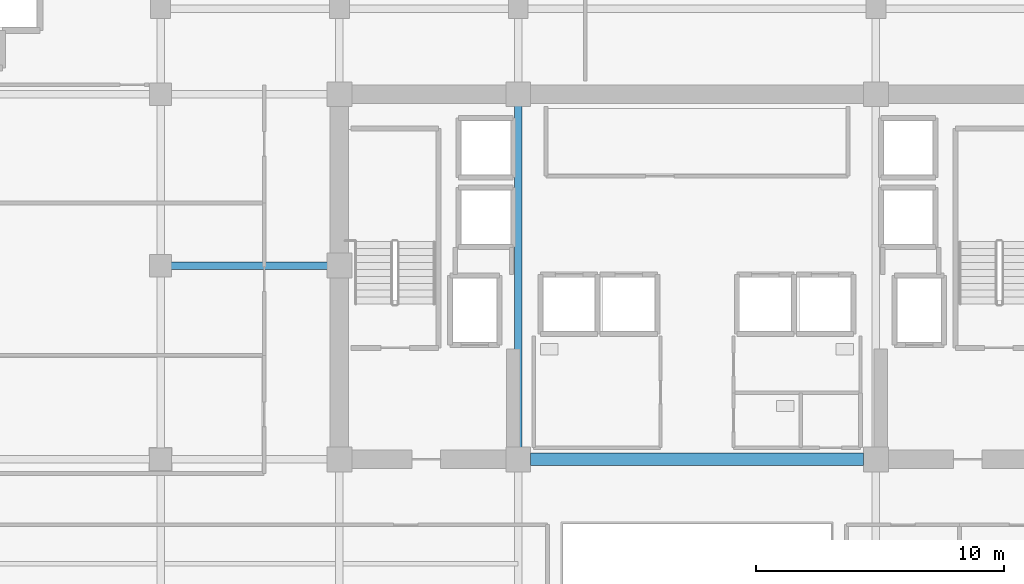
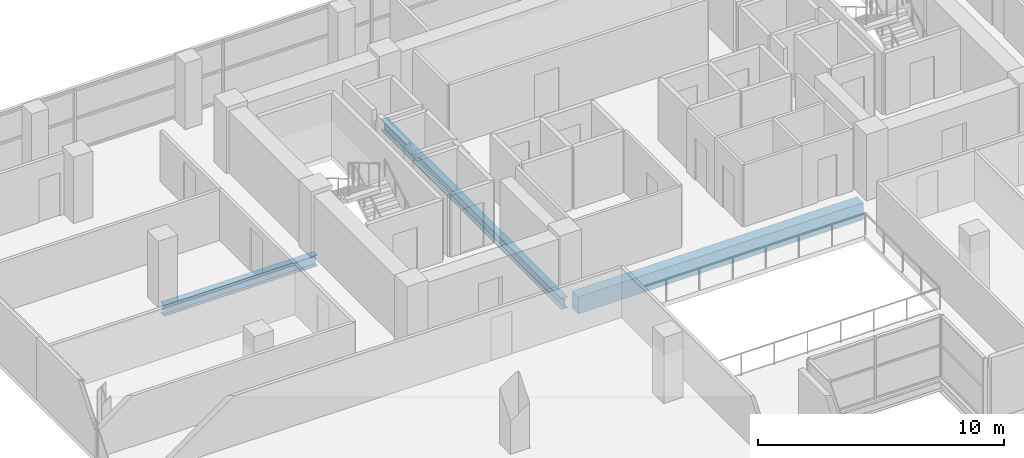
# One storey, part 10 of 27: 3 beams.
"""IFC4 building model written with IfcOpenShell, lengths in metres."""

from ifc_helpers import new_model, si_unit, direction, frame, origin, origin_2d, place, context, subcontext, project, spatial, rectangle, i_section, extrude, material, material_profile, profile_set, type_object, element, save


model = new_model("IFC4")

# Units and contexts
model_context = context("Model", 3, precision=1e-05, world=origin(), true_north=direction((0.0, 1.0)))
body_context = subcontext(model_context, "Body", "Model", "MODEL_VIEW")
ifc_project = project(units=[si_unit("LENGTHUNIT", "METRE"), si_unit("AREAUNIT", "SQUARE_METRE"), si_unit("VOLUMEUNIT", "CUBIC_METRE"), si_unit("PLANEANGLEUNIT", "RADIAN"), si_unit("MASSUNIT", "GRAM", prefix="KILO")], contexts=[model_context])

# Site, building, storey
site_placement = place(None, origin())
site = spatial("IfcSite", under=ifc_project, at=site_placement, CompositionType="ELEMENT")
building_placement = place(site_placement, origin())
building = spatial("IfcBuilding", under=site, at=building_placement, Name="Zarnakvel Exchange Tower", CompositionType="ELEMENT")
storey_placement = place(building_placement, frame((0.0, 0.0, 106.60009765625)))
storey = spatial("IfcBuildingStorey", under=building, at=storey_placement, Name="L29", CompositionType="ELEMENT", Elevation=106.60009765625)

# Beams
ifc_material_1 = material(Name="Concrete C60/75", Category="concrete")
ifc_material_profile_1 = material_profile(ifc_material_1, rectangle(XDim=0.5, YDim=0.85009765625, at=origin_2d()))
ifc_profile_set_1 = profile_set([ifc_material_profile_1], Name="Concrete C60/75")
beam_type_1 = type_object("IfcBeamType", Name="CB-02", PredefinedType="LINTEL", material=ifc_profile_set_1)
beam_1_placement = place(storey_placement, frame((-6.699951171875, -1.199951171875, -0.650146484375), z_axis=(1.0, 0.0, 0.0), x_axis=(0.0, 1.0, 0.0)))
element("IfcBeam", 1, at=beam_1_placement, inside=storey, type_object=beam_type_1, Name="L29 Rear Core South Coupling Beam (CB-02)", PredefinedType="LINTEL", context=body_context, shape_type="SweptSolid", body=[
    extrude(rectangle(XDim=0.5, YDim=0.85009765625, at=origin_2d()), origin(), (0.0, 0.0, 1.0), 13.39990234375),
])
ifc_material_2 = material(Name="Steel S355", Category="steel")
ifc_material_profile_2 = material_profile(ifc_material_2, i_section(OverallWidth=0.300048828125, OverallDepth=0.550048828125, WebThickness=0.014892578125, FlangeThickness=0.029052734375, FilletRadius=0.027099609375, at=origin_2d()))
ifc_profile_set_2 = profile_set([ifc_material_profile_2], Name="Steel S355")
beam_type_2 = type_object("IfcBeamType", Name="G-05", PredefinedType="BEAM", material=ifc_profile_set_2)
beam_2_placement = place(storey_placement, frame((-21.60009765625, 6.60009765625, -0.5), z_axis=(1.0, 0.0, 0.0), x_axis=(0.0, 1.0, 0.0)))
element("IfcBeam", 2, at=beam_2_placement, inside=storey, type_object=beam_type_2, Name="L29 Tower E-W Frame Beam", PredefinedType="BEAM", context=body_context, shape_type="SweptSolid", body=[
    extrude(i_section(OverallWidth=0.300048828125, OverallDepth=0.550048828125, WebThickness=0.014892578125, FlangeThickness=0.029052734375, FilletRadius=0.027099609375, at=origin_2d()), origin(), (0.0, 0.0, 1.0), 7.2001953125),
])
beam_3_placement = place(storey_placement, frame((-7.199951171875, -1.199951171875, -0.5), z_axis=(0.0, 1.0, 0.0), x_axis=(-1.0, 0.0, 0.0)))
element("IfcBeam", 3, at=beam_3_placement, inside=storey, type_object=beam_type_2, Name="L29 Tower N-S Frame Beam", PredefinedType="BEAM", context=body_context, shape_type="SweptSolid", body=[
    extrude(i_section(OverallWidth=0.300048828125, OverallDepth=0.550048828125, WebThickness=0.014892578125, FlangeThickness=0.029052734375, FilletRadius=0.027099609375, at=origin_2d()), origin(), (0.0, 0.0, 1.0), 14.699951171875),
])

save(model, "model.ifc")
